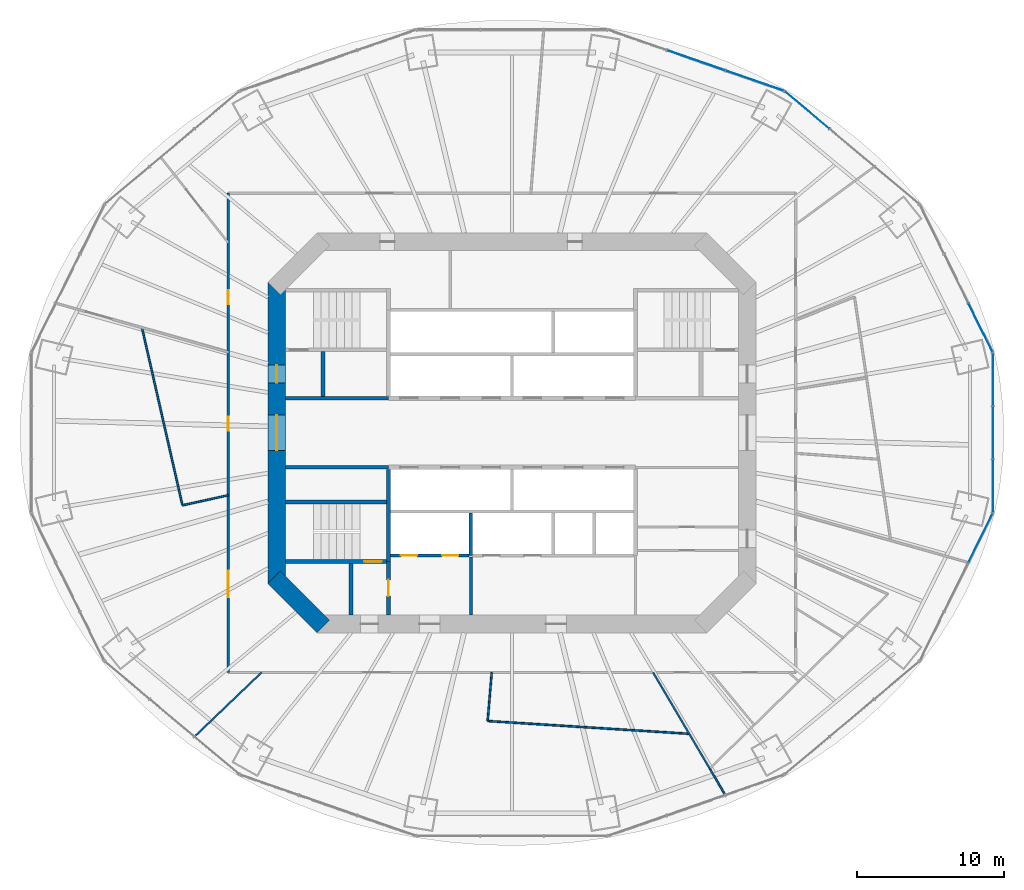
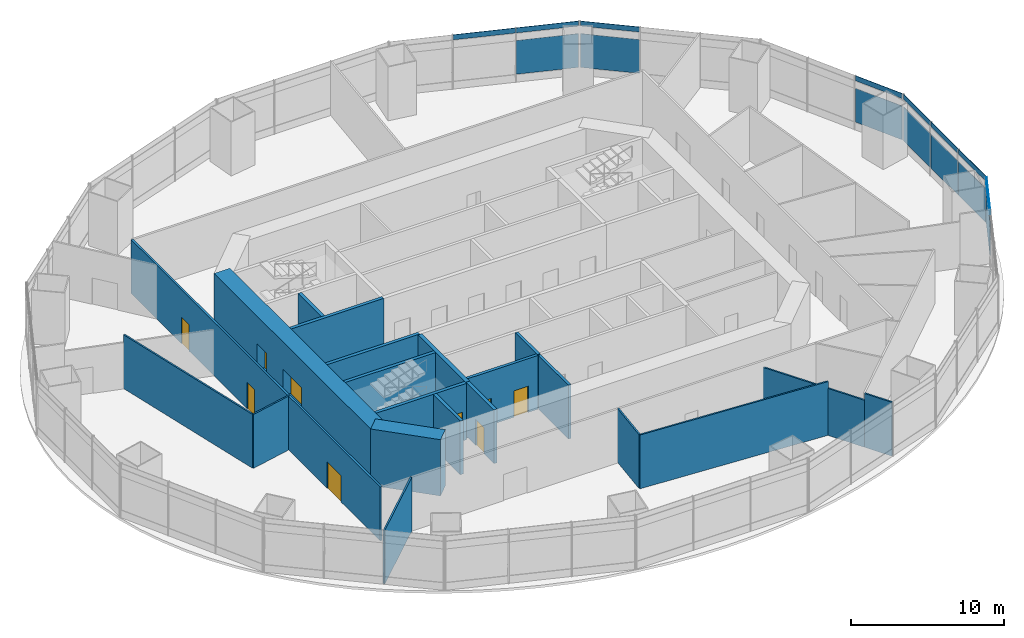
# One storey, part 13 of 17: 21 walls, 15 plates, 9 doors, 9 openings, 10 elements without a shape of their own.
"""IFC4 building model written with IfcOpenShell, lengths in metres."""

from ifc_helpers import new_model, si_unit, direction, frame, frame_2d, origin, origin_2d, place, context, subcontext, project, spatial, rectangle, extrude, material, layer, layer_set, type_object, element, fill, aggregate, save


model = new_model("IFC4")

# Units and contexts
model_context = context("Model", 3, precision=1e-05, world=origin(), true_north=direction((0.0, 1.0)))
body_context = subcontext(model_context, "Body", "Model", "MODEL_VIEW")
ifc_project = project(units=[si_unit("LENGTHUNIT", "METRE"), si_unit("AREAUNIT", "SQUARE_METRE"), si_unit("VOLUMEUNIT", "CUBIC_METRE"), si_unit("PLANEANGLEUNIT", "RADIAN"), si_unit("MASSUNIT", "GRAM", prefix="KILO")], contexts=[model_context])

# Site, building, storey
site_placement = place(None, origin())
site = spatial("IfcSite", under=ifc_project, at=site_placement, CompositionType="ELEMENT")
building_placement = place(site_placement, origin())
building = spatial("IfcBuilding", under=site, at=building_placement, Name="Marenthal Gate Tower", CompositionType="ELEMENT")
storey_placement = place(building_placement, frame((0.0, 0.0, 145.050048828125)))
storey = spatial("IfcBuildingStorey", under=building, at=storey_placement, Name="L31", CompositionType="ELEMENT", Elevation=145.050048828125)

# Curtain wall, plate
ifc_material_1 = material(Name="Aluminium and glass", Category="aluminium")
curtain_wall_type_1 = type_object("IfcCurtainWallType", Name="Curtain wall amenity", PredefinedType="NOTDEFINED", material=ifc_material_1)
curtain_wall_1_placement = place(storey_placement, origin())
curtain_wall_1 = element("IfcCurtainWall", 1, at=curtain_wall_1_placement, inside=storey, type_object=curtain_wall_type_1, Name="Curtain wall L31 bay 1", PredefinedType="NOTDEFINED")
ifc_material_2 = material(Name="Glass, laminated insulating unit", Category="glass")
ifc_layer_1 = layer(ifc_material_2, 0.031982421875)
ifc_layer_set_1 = layer_set([ifc_layer_1], Name="Glass panel 32 amenity")
plate_type_1 = type_object("IfcPlateType", Name="Glass panel 32 amenity", PredefinedType="CURTAIN_PANEL", material=ifc_layer_set_1)
plate_1_placement = place(storey_placement, frame((31.86279296875, 7.151611328125, 0.60009765625), z_axis=(0.0, 0.0, 1.0), x_axis=(-0.442895449987, 0.896573265484, 0.0)))
plate_1 = element("IfcPlate", 2, at=plate_1_placement, type_object=plate_type_1, Name="Glass panel L31 bay 1.1", PredefinedType="CURTAIN_PANEL", context=body_context, shape_type="SweptSolid", body=[
    extrude(rectangle(XDim=3.6669921875, YDim=0.031982421875, at=origin_2d()), origin(), (0.0, 0.0, 1.0), 2.699951171875),
])
aggregate(curtain_wall_1, [plate_1])

curtain_wall_2_placement = place(storey_placement, origin())
curtain_wall_2 = element("IfcCurtainWall", 3, at=curtain_wall_2_placement, inside=storey, type_object=curtain_wall_type_1, Name="Curtain wall L31 bay 2", PredefinedType="NOTDEFINED")
plate_2_placement = place(storey_placement, frame((20.072265625, 21.947021484375, 0.60009765625), z_axis=(0.0, 0.0, 1.0), x_axis=(-0.766276606305, 0.642510826857, 0.0)))
plate_2 = element("IfcPlate", 4, at=plate_2_placement, type_object=plate_type_1, Name="Glass panel L31 bay 2.3", PredefinedType="CURTAIN_PANEL", context=body_context, shape_type="SweptSolid", body=[
    extrude(rectangle(XDim=3.921630859375, YDim=0.031982421875, at=origin_2d()), origin(), (0.0, 0.0, 1.0), 2.699951171875),
])
aggregate(curtain_wall_2, [plate_2])

curtain_wall_3_placement = place(storey_placement, origin())
curtain_wall_3 = element("IfcCurtainWall", 5, at=curtain_wall_3_placement, inside=storey, type_object=curtain_wall_type_1, Name="Curtain wall L31 bay 3", PredefinedType="NOTDEFINED")
plate_3_placement = place(storey_placement, frame((16.501708984375, 23.94775390625, 0.60009765625), z_axis=(0.0, 0.0, 1.0), x_axis=(-0.944646837951, 0.328088938475, 0.0)))
plate_3 = element("IfcPlate", 6, at=plate_3_placement, type_object=plate_type_1, Name="Glass panel L31 bay 3.1", PredefinedType="CURTAIN_PANEL", context=body_context, shape_type="SweptSolid", body=[
    extrude(rectangle(XDim=4.1611328125, YDim=0.031982421875, at=origin_2d()), origin(), (0.0, 0.0, 1.0), 2.699951171875),
])
aggregate(curtain_wall_3, [plate_3])

curtain_wall_4_placement = place(storey_placement, origin())
curtain_wall_4 = element("IfcCurtainWall", 7, at=curtain_wall_4_placement, inside=storey, type_object=curtain_wall_type_1, Name="Curtain wall L31 bay 15", PredefinedType="NOTDEFINED")
plate_4_placement = place(storey_placement, frame((31.86279296875, -7.151611328125, 0.60009765625), z_axis=(0.0, 0.0, 1.0), x_axis=(0.442895449987, 0.896573265484, 0.0)))
plate_4 = element("IfcPlate", 8, at=plate_4_placement, type_object=plate_type_1, Name="Glass panel L31 bay 15.3", PredefinedType="CURTAIN_PANEL", context=body_context, shape_type="SweptSolid", body=[
    extrude(rectangle(XDim=3.6669921875, YDim=0.031982421875, at=origin_2d()), origin(), (0.0, 0.0, 1.0), 2.699951171875),
])
aggregate(curtain_wall_4, [plate_4])

# Curtain wall, plates
curtain_wall_5_placement = place(storey_placement, origin())
curtain_wall_5 = element("IfcCurtainWall", 9, at=curtain_wall_5_placement, inside=storey, type_object=curtain_wall_type_1, Name="Curtain wall L31 bay 16", PredefinedType="NOTDEFINED")
plate_5_placement = place(storey_placement, frame((32.701416015625, -3.615966796875, 0.60009765625), z_axis=(0.0, 0.0, 1.0), x_axis=(0.0, 1.0, 0.0)))
plate_5 = element("IfcPlate", 10, at=plate_5_placement, type_object=plate_type_1, Name="Glass panel L31 bay 16.1", PredefinedType="CURTAIN_PANEL", context=body_context, shape_type="SweptSolid", body=[
    extrude(rectangle(XDim=3.55615234375, YDim=0.031982421875, at=origin_2d()), origin(), (0.0, 0.0, 1.0), 2.699951171875),
])
plate_6_placement = place(storey_placement, frame((32.701416015625, 0.0, 0.60009765625), z_axis=(0.0, 0.0, 1.0), x_axis=(0.0, 1.0, 0.0)))
plate_6 = element("IfcPlate", 11, at=plate_6_placement, type_object=plate_type_1, Name="Glass panel L31 bay 16.2", PredefinedType="CURTAIN_PANEL", context=body_context, shape_type="SweptSolid", body=[
    extrude(rectangle(XDim=3.555908203125, YDim=0.031982421875, at=origin_2d()), origin(), (0.0, 0.0, 1.0), 2.699951171875),
])
plate_7_placement = place(storey_placement, frame((32.701416015625, 3.615966796875, 0.60009765625), z_axis=(0.0, 0.0, 1.0), x_axis=(0.0, 1.0, 0.0)))
plate_7 = element("IfcPlate", 12, at=plate_7_placement, type_object=plate_type_1, Name="Glass panel L31 bay 16.3", PredefinedType="CURTAIN_PANEL", context=body_context, shape_type="SweptSolid", body=[
    extrude(rectangle(XDim=3.55615234375, YDim=0.031982421875, at=origin_2d()), origin(), (0.0, 0.0, 1.0), 2.699951171875),
])
aggregate(curtain_wall_5, [plate_5, plate_6, plate_7])

# Curtain wall, plate
ifc_material_3 = material(Name="Aluminium and glass", Category="aluminium")
curtain_wall_type_2 = type_object("IfcCurtainWallType", Name="Curtain wall crown clad", PredefinedType="NOTDEFINED", material=ifc_material_3)
curtain_wall_6_placement = place(storey_placement, origin())
curtain_wall_6 = element("IfcCurtainWall", 13, at=curtain_wall_6_placement, inside=storey, type_object=curtain_wall_type_2, Name="Curtain wall L31 bay 1 head band", PredefinedType="NOTDEFINED")
ifc_material_4 = material(Name="Terracotta cladding panel", Category="masonry")
ifc_layer_2 = layer(ifc_material_4, 0.031982421875)
ifc_layer_set_2 = layer_set([ifc_layer_2], Name="Terracotta panel 32 crown clad")
plate_type_2 = type_object("IfcPlateType", Name="Terracotta panel 32 crown clad", PredefinedType="CURTAIN_PANEL", material=ifc_layer_set_2)
plate_8_placement = place(storey_placement, frame((31.86279296875, 7.151611328125, 3.89990234375), z_axis=(0.0, 0.0, 1.0), x_axis=(-0.442895449987, 0.896573265484, 0.0)))
plate_8 = element("IfcPlate", 14, at=plate_8_placement, type_object=plate_type_2, Name="Terracotta panel L31 bay 1.1 head band", PredefinedType="CURTAIN_PANEL", context=body_context, shape_type="SweptSolid", body=[
    extrude(rectangle(XDim=3.6669921875, YDim=0.031982421875, at=origin_2d()), origin(), (0.0, 0.0, 1.0), 0.39990234375),
])
aggregate(curtain_wall_6, [plate_8])

curtain_wall_7_placement = place(storey_placement, origin())
curtain_wall_7 = element("IfcCurtainWall", 15, at=curtain_wall_7_placement, inside=storey, type_object=curtain_wall_type_2, Name="Curtain wall L31 bay 2 head band", PredefinedType="NOTDEFINED")
plate_9_placement = place(storey_placement, frame((20.072265625, 21.947021484375, 3.89990234375), z_axis=(0.0, 0.0, 1.0), x_axis=(-0.766276606305, 0.642510826857, 0.0)))
plate_9 = element("IfcPlate", 16, at=plate_9_placement, type_object=plate_type_2, Name="Terracotta panel L31 bay 2.3 head band", PredefinedType="CURTAIN_PANEL", context=body_context, shape_type="SweptSolid", body=[
    extrude(rectangle(XDim=3.921630859375, YDim=0.031982421875, at=origin_2d()), origin(), (0.0, 0.0, 1.0), 0.39990234375),
])
aggregate(curtain_wall_7, [plate_9])

# Curtain wall, plates
curtain_wall_8_placement = place(storey_placement, origin())
curtain_wall_8 = element("IfcCurtainWall", 17, at=curtain_wall_8_placement, inside=storey, type_object=curtain_wall_type_2, Name="Curtain wall L31 bay 3 head band", PredefinedType="NOTDEFINED")
plate_10_placement = place(storey_placement, frame((16.501708984375, 23.94775390625, 3.89990234375), z_axis=(0.0, 0.0, 1.0), x_axis=(-0.944646837951, 0.328088938475, 0.0)))
plate_10 = element("IfcPlate", 18, at=plate_10_placement, type_object=plate_type_2, Name="Terracotta panel L31 bay 3.1 head band", PredefinedType="CURTAIN_PANEL", context=body_context, shape_type="SweptSolid", body=[
    extrude(rectangle(XDim=4.1611328125, YDim=0.031982421875, at=origin_2d()), origin(), (0.0, 0.0, 1.0), 0.39990234375),
])
plate_11_placement = place(storey_placement, frame((12.51416015625, 25.33251953125, 3.89990234375), z_axis=(0.0, 0.0, 1.0), x_axis=(-0.944646837951, 0.328088938475, 0.0)))
plate_11 = element("IfcPlate", 19, at=plate_11_placement, type_object=plate_type_2, Name="Terracotta panel L31 bay 3.2 head band", PredefinedType="CURTAIN_PANEL", context=body_context, shape_type="SweptSolid", body=[
    extrude(rectangle(XDim=4.1611328125, YDim=0.031982421875, at=origin_2d()), origin(), (0.0, 0.0, 1.0), 0.39990234375),
])
aggregate(curtain_wall_8, [plate_10, plate_11])

# Curtain wall, plate
curtain_wall_9_placement = place(storey_placement, origin())
curtain_wall_9 = element("IfcCurtainWall", 20, at=curtain_wall_9_placement, inside=storey, type_object=curtain_wall_type_2, Name="Curtain wall L31 bay 15 head band", PredefinedType="NOTDEFINED")
plate_12_placement = place(storey_placement, frame((31.86279296875, -7.151611328125, 3.89990234375), z_axis=(0.0, 0.0, 1.0), x_axis=(0.442895449987, 0.896573265484, 0.0)))
plate_12 = element("IfcPlate", 21, at=plate_12_placement, type_object=plate_type_2, Name="Terracotta panel L31 bay 15.3 head band", PredefinedType="CURTAIN_PANEL", context=body_context, shape_type="SweptSolid", body=[
    extrude(rectangle(XDim=3.6669921875, YDim=0.031982421875, at=origin_2d()), origin(), (0.0, 0.0, 1.0), 0.39990234375),
])
aggregate(curtain_wall_9, [plate_12])

# Curtain wall, plates
curtain_wall_10_placement = place(storey_placement, origin())
curtain_wall_10 = element("IfcCurtainWall", 22, at=curtain_wall_10_placement, inside=storey, type_object=curtain_wall_type_2, Name="Curtain wall L31 bay 16 head band", PredefinedType="NOTDEFINED")
plate_13_placement = place(storey_placement, frame((32.701416015625, -3.615966796875, 3.89990234375), z_axis=(0.0, 0.0, 1.0), x_axis=(0.0, 1.0, 0.0)))
plate_13 = element("IfcPlate", 23, at=plate_13_placement, type_object=plate_type_2, Name="Terracotta panel L31 bay 16.1 head band", PredefinedType="CURTAIN_PANEL", context=body_context, shape_type="SweptSolid", body=[
    extrude(rectangle(XDim=3.55615234375, YDim=0.031982421875, at=origin_2d()), origin(), (0.0, 0.0, 1.0), 0.39990234375),
])
plate_14_placement = place(storey_placement, frame((32.701416015625, 0.0, 3.89990234375), z_axis=(0.0, 0.0, 1.0), x_axis=(0.0, 1.0, 0.0)))
plate_14 = element("IfcPlate", 24, at=plate_14_placement, type_object=plate_type_2, Name="Terracotta panel L31 bay 16.2 head band", PredefinedType="CURTAIN_PANEL", context=body_context, shape_type="SweptSolid", body=[
    extrude(rectangle(XDim=3.555908203125, YDim=0.031982421875, at=origin_2d()), origin(), (0.0, 0.0, 1.0), 0.39990234375),
])
plate_15_placement = place(storey_placement, frame((32.701416015625, 3.615966796875, 3.89990234375), z_axis=(0.0, 0.0, 1.0), x_axis=(0.0, 1.0, 0.0)))
plate_15 = element("IfcPlate", 25, at=plate_15_placement, type_object=plate_type_2, Name="Terracotta panel L31 bay 16.3 head band", PredefinedType="CURTAIN_PANEL", context=body_context, shape_type="SweptSolid", body=[
    extrude(rectangle(XDim=3.55615234375, YDim=0.031982421875, at=origin_2d()), origin(), (0.0, 0.0, 1.0), 0.39990234375),
])
aggregate(curtain_wall_10, [plate_13, plate_14, plate_15])

# Wall, openings, doors
ifc_material_5 = material(Name="Concrete 60 MPa", Category="concrete")
ifc_layer_3 = layer(ifc_material_5, 1.199951171875)
ifc_layer_set_3 = layer_set([ifc_layer_3], Name="Core shear wall 1200")
wall_type_1 = type_object("IfcWallType", Name="Core shear wall 1200", PredefinedType="SHEAR", material=ifc_layer_set_3)
wall_1_placement = place(storey_placement, frame((-16.0, 10.24853515625, -0.199951171875), z_axis=(0.0, 0.0, 1.0), x_axis=(0.0, -1.0, 0.0)))
wall_1 = element("IfcWall", 26, at=wall_1_placement, inside=storey, type_object=wall_type_1, Name="Core wall 06", PredefinedType="SHEAR", context=body_context, shape_type="SweptSolid", body=[
    extrude(rectangle(XDim=20.4970703125, YDim=1.199951171875, at=frame_2d((10.24853515625, 0.0))), origin(), (0.0, 0.0, 1.0), 4.5),
])
opening_1_placement = place(wall_1_placement, frame((9.048583984375, 0.0, 0.199951171875)))
opening_1 = element("IfcOpeningElement", 27, at=opening_1_placement, cuts=wall_1, Name="Opening D003.01", PredefinedType="OPENING", context=body_context, shape_type="SweptSolid", body=[
    extrude(rectangle(XDim=2.39990234375, YDim=2.10009765625, at=frame_2d((1.199951171875, 1.050048828125))), frame((0.0, 0.60986328125, 0.0), z_axis=(0.0, -1.0, 0.0), x_axis=(1.0, 0.0, 0.0)), (0.0, 0.0, 1.0), 1.219970703125),
])
opening_2_placement = place(wall_1_placement, frame((5.6484375, 0.0, 0.199951171875)))
opening_2 = element("IfcOpeningElement", 28, at=opening_2_placement, cuts=wall_1, Name="Opening D001.04", PredefinedType="OPENING", context=body_context, shape_type="SweptSolid", body=[
    extrude(rectangle(XDim=1.199951171875, YDim=2.10009765625, at=frame_2d((0.60009765625, 1.050048828125))), frame((0.0, 0.60986328125, 0.0), z_axis=(0.0, -1.0, 0.0), x_axis=(1.0, 0.0, 0.0)), (0.0, 0.0, 1.0), 1.219970703125),
])
ifc_material_6 = material(Name="Steel fire door", Category="steel")
door_type_1 = type_object("IfcDoorType", Name="Double fire door FD 45 2400 x 2100", OperationType="DOUBLE_DOOR_SINGLE_SWING", PredefinedType="DOOR", material=ifc_material_6)
door_1_placement = place(opening_1_placement, origin())
door_1 = element("IfcDoor", 29, at=door_1_placement, inside=storey, type_object=door_type_1, Name="Door D003.01", OperationType="DOUBLE_DOOR_SINGLE_SWING", OverallHeight=2.10009765625, OverallWidth=2.39990234375, PredefinedType="DOOR", context=body_context, shape_type="SweptSolid", body=[
    extrude(rectangle(XDim=2.39990234375, YDim=2.10009765625, at=frame_2d((1.199951171875, 1.050048828125))), frame((0.0, 0.02490234375, 0.0), z_axis=(0.0, -1.0, 0.0), x_axis=(1.0, 0.0, 0.0)), (0.0, 0.0, 1.0), 0.050048828125),
])
fill(opening_1, door_1)
ifc_material_7 = material(Name="Steel fire door", Category="steel")
door_type_2 = type_object("IfcDoorType", Name="Fire door FD 90 1200 x 2100", OperationType="NOTDEFINED", PredefinedType="DOOR", material=ifc_material_7)
door_2_placement = place(opening_2_placement, origin())
door_2 = element("IfcDoor", 30, at=door_2_placement, inside=storey, type_object=door_type_2, Name="Door D001.04", OperationType="SINGLE_SWING_RIGHT", OverallHeight=2.10009765625, OverallWidth=1.199951171875, PredefinedType="DOOR", context=body_context, shape_type="SweptSolid", body=[
    extrude(rectangle(XDim=1.199951171875, YDim=2.10009765625, at=frame_2d((0.60009765625, 1.050048828125))), frame((0.0, 0.02490234375, 0.0), z_axis=(0.0, -1.0, 0.0), x_axis=(1.0, 0.0, 0.0)), (0.0, 0.0, 1.0), 0.050048828125),
])
fill(opening_2, door_2)

# Walls
wall_2_placement = place(storey_placement, frame((-16.17578125, -9.82421875, -0.199951171875), z_axis=(0.0, 0.0, 1.0), x_axis=(0.707106781187, -0.707106781187, 0.0)))
element("IfcWall", 31, at=wall_2_placement, inside=storey, type_object=wall_type_1, Name="Core wall 07", PredefinedType="SHEAR", context=body_context, shape_type="SweptSolid", body=[
    extrude(rectangle(XDim=4.73974609375, YDim=1.199951171875, at=frame_2d((2.369873046875, 0.0))), origin(), (0.0, 0.0, 1.0), 4.5),
])
ifc_material_8 = material(Name="Gypsum board on steel studs", Category="steel")
ifc_layer_4 = layer(ifc_material_8, 0.199951171875)
ifc_layer_set_4 = layer_set([ifc_layer_4], Name="Fire lobby wall 200")
wall_type_2 = type_object("IfcWallType", Name="Fire lobby wall 200", PredefinedType="PARTITIONING", material=ifc_layer_set_4)
wall_3_placement = place(storey_placement, frame((-2.800048828125, -12.39990234375, 0.0), z_axis=(0.0, 0.0, 1.0), x_axis=(0.0, 1.0, 0.0)))
element("IfcWall", 32, at=wall_3_placement, inside=storey, type_object=wall_type_2, Name="Fire wall 35", PredefinedType="PARTITIONING", context=body_context, shape_type="SweptSolid", body=[
    extrude(rectangle(XDim=3.93994140625, YDim=0.199951171875, at=frame_2d((1.969970703125, 0.0))), origin(), (0.0, 0.0, 1.0), 4.300048828125),
])
ifc_material_9 = material(Name="Concrete 50 MPa", Category="concrete")
ifc_layer_5 = layer(ifc_material_9, 0.300048828125)
ifc_layer_set_5 = layer_set([ifc_layer_5], Name="Hoistway shear wall 300")
wall_type_3 = type_object("IfcWallType", Name="Hoistway shear wall 300", PredefinedType="SHEAR", material=ifc_layer_set_5)
wall_4_placement = place(storey_placement, frame((-8.39990234375, -8.75, -0.199951171875), z_axis=(0.0, 0.0, 1.0), x_axis=(0.0, 1.0, 0.0)))
element("IfcWall", 33, at=wall_4_placement, inside=storey, type_object=wall_type_3, Name="Hoistway wall 31", PredefinedType="SHEAR", context=body_context, shape_type="SweptSolid", body=[
    extrude(rectangle(XDim=6.25, YDim=0.300048828125, at=frame_2d((3.125, 0.0))), origin(), (0.0, 0.0, 1.0), 4.5),
])

# Wall, openings, doors
ifc_material_10 = material(Name="Concrete 40 MPa", Category="concrete")
ifc_layer_6 = layer(ifc_material_10, 0.219970703125)
ifc_layer_set_6 = layer_set([ifc_layer_6], Name="Hoistway wall 220")
wall_type_4 = type_object("IfcWallType", Name="Hoistway wall 220", PredefinedType="STANDARD", material=ifc_layer_set_6)
wall_5_placement = place(storey_placement, frame((-8.25, -8.35009765625, 0.0), z_axis=(0.0, 0.0, 1.0), x_axis=(1.0, 0.0, 0.0)))
wall_5 = element("IfcWall", 34, at=wall_5_placement, inside=storey, type_object=wall_type_4, Name="Hoistway wall 10", PredefinedType="STANDARD", context=body_context, shape_type="SweptSolid", body=[
    extrude(rectangle(XDim=5.340087890625, YDim=0.219970703125, at=frame_2d((2.669921875, 0.0))), origin(), (0.0, 0.0, 1.0), 4.300048828125),
])
opening_3_placement = place(wall_5_placement, frame((0.699951171875, 0.0, 0.0)))
opening_3 = element("IfcOpeningElement", 35, at=opening_3_placement, cuts=wall_5, Name="Opening LD-LF1", PredefinedType="OPENING", context=body_context, shape_type="SweptSolid", body=[
    extrude(rectangle(XDim=1.10009765625, YDim=2.10009765625, at=frame_2d((0.550048828125, 1.050048828125))), frame((0.0, 0.1201171875, 0.0), z_axis=(0.0, -1.0, 0.0), x_axis=(1.0, 0.0, 0.0)), (0.0, 0.0, 1.0), 0.239990234375),
])
opening_4_placement = place(wall_5_placement, frame((3.5, 0.0, 0.0)))
opening_4 = element("IfcOpeningElement", 36, at=opening_4_placement, cuts=wall_5, Name="Opening LD-LF2", PredefinedType="OPENING", context=body_context, shape_type="SweptSolid", body=[
    extrude(rectangle(XDim=1.10009765625, YDim=2.10009765625, at=frame_2d((0.550048828125, 1.050048828125))), frame((0.0, 0.1201171875, 0.0), z_axis=(0.0, -1.0, 0.0), x_axis=(1.0, 0.0, 0.0)), (0.0, 0.0, 1.0), 0.239990234375),
])
ifc_material_11 = material(Name="Stainless steel sliding door", Category="steel")
door_type_3 = type_object("IfcDoorType", Name="Lift landing door FD 90 1100 x 2100", OperationType="DOUBLE_DOOR_SLIDING", PredefinedType="DOOR", material=ifc_material_11)
door_3_placement = place(opening_3_placement, origin())
door_3 = element("IfcDoor", 37, at=door_3_placement, inside=storey, type_object=door_type_3, Name="Lift landing door LF1", OperationType="DOUBLE_DOOR_SLIDING", OverallHeight=2.10009765625, OverallWidth=1.10009765625, PredefinedType="DOOR", context=body_context, shape_type="SweptSolid", body=[
    extrude(rectangle(XDim=1.10009765625, YDim=2.10009765625, at=frame_2d((0.550048828125, 1.050048828125))), frame((0.0, 0.02490234375, 0.0), z_axis=(0.0, -1.0, 0.0), x_axis=(1.0, 0.0, 0.0)), (0.0, 0.0, 1.0), 0.050048828125),
])
fill(opening_3, door_3)
door_4_placement = place(opening_4_placement, origin())
door_4 = element("IfcDoor", 38, at=door_4_placement, inside=storey, type_object=door_type_3, Name="Lift landing door LF2", OperationType="DOUBLE_DOOR_SLIDING", OverallHeight=2.10009765625, OverallWidth=1.10009765625, PredefinedType="DOOR", context=body_context, shape_type="SweptSolid", body=[
    extrude(rectangle(XDim=1.10009765625, YDim=2.10009765625, at=frame_2d((0.550048828125, 1.050048828125))), frame((0.0, 0.02490234375, 0.0), z_axis=(0.0, -1.0, 0.0), x_axis=(1.0, 0.0, 0.0)), (0.0, 0.0, 1.0), 0.050048828125),
])
fill(opening_4, door_4)

# Walls
wall_6_placement = place(storey_placement, frame((-2.800048828125, -8.35009765625, 0.0), z_axis=(0.0, 0.0, 1.0), x_axis=(0.0, 1.0, 0.0)))
element("IfcWall", 39, at=wall_6_placement, inside=storey, type_object=wall_type_4, Name="Hoistway wall 36", PredefinedType="STANDARD", context=body_context, shape_type="SweptSolid", body=[
    extrude(rectangle(XDim=2.89013671875, YDim=0.219970703125, at=frame_2d((1.445068359375, 0.0))), origin(), (0.0, 0.0, 1.0), 4.300048828125),
])
ifc_material_12 = material(Name="Gypsum board on steel studs", Category="steel")
ifc_layer_7 = layer(ifc_material_12, 0.1201171875)
ifc_layer_set_7 = layer_set([ifc_layer_7], Name="Partition 120")
wall_type_5 = type_object("IfcWallType", Name="Partition 120", PredefinedType="PARTITIONING", material=ifc_layer_set_7)
wall_7_placement = place(storey_placement, frame((-25.168701171875, 7.154296875, 0.0), z_axis=(0.0, 0.0, 1.0), x_axis=(0.222564322399, -0.974918008037, 0.0)))
element("IfcWall", 40, at=wall_7_placement, inside=storey, type_object=wall_type_5, Name="Partition wall 47", PredefinedType="PARTITIONING", context=body_context, shape_type="SweptSolid", body=[
    extrude(rectangle(XDim=12.394287109375, YDim=0.1201171875, at=frame_2d((6.197265625, 0.0))), origin(), (0.0, 0.0, 1.0), 4.300048828125),
])
wall_8_placement = place(storey_placement, frame((-22.41015625, -4.92919921875, 0.0), z_axis=(0.0, 0.0, 1.0), x_axis=(0.976653796801, 0.21481936876, 0.0)))
element("IfcWall", 41, at=wall_8_placement, inside=storey, type_object=wall_type_5, Name="Partition wall 48", PredefinedType="PARTITIONING", context=body_context, shape_type="SweptSolid", body=[
    extrude(rectangle(XDim=3.1845703125, YDim=0.1201171875, at=frame_2d((1.59228515625, 0.0))), origin(), (0.0, 0.0, 1.0), 4.300048828125),
])
wall_9_placement = place(storey_placement, frame((-17.033447265625, -16.300048828125, 0.0), z_axis=(0.0, 0.0, 1.0), x_axis=(-0.722489933703, -0.691381440088, 0.0)))
element("IfcWall", 42, at=wall_9_placement, inside=storey, type_object=wall_type_5, Name="Partition wall 52", PredefinedType="PARTITIONING", context=body_context, shape_type="SweptSolid", body=[
    extrude(rectangle(XDim=6.317626953125, YDim=0.1201171875, at=frame_2d((3.15869140625, 0.0))), origin(), (0.0, 0.0, 1.0), 4.300048828125),
])
wall_10_placement = place(storey_placement, frame((-1.6572265625, -19.60205078125, 0.0), z_axis=(0.0, 0.0, 1.0), x_axis=(0.998001070526, -0.063197019139, 0.0)))
element("IfcWall", 43, at=wall_10_placement, inside=storey, type_object=wall_type_5, Name="Partition wall 53", PredefinedType="PARTITIONING", context=body_context, shape_type="SweptSolid", body=[
    extrude(rectangle(XDim=13.7373046875, YDim=0.1201171875, at=frame_2d((6.86865234375, 0.0))), origin(), (0.0, 0.0, 1.0), 4.300048828125),
])
wall_11_placement = place(storey_placement, frame((-1.6572265625, -19.60205078125, 0.0), z_axis=(0.0, 0.0, 1.0), x_axis=(0.084283140238, 0.996441845906, 0.0)))
element("IfcWall", 44, at=wall_11_placement, inside=storey, type_object=wall_type_5, Name="Partition wall 54", PredefinedType="PARTITIONING", context=body_context, shape_type="SweptSolid", body=[
    extrude(rectangle(XDim=3.313720703125, YDim=0.1201171875, at=frame_2d((1.65673828125, 0.0))), origin(), (0.0, 0.0, 1.0), 4.300048828125),
])
wall_12_placement = place(storey_placement, frame((9.597412109375, -16.300048828125, 0.0), z_axis=(0.0, 0.0, 1.0), x_axis=(0.507388266695, -0.861717556291, 0.0)))
element("IfcWall", 45, at=wall_12_placement, inside=storey, type_object=wall_type_5, Name="Partition wall 56", PredefinedType="PARTITIONING", context=body_context, shape_type="SweptSolid", body=[
    extrude(rectangle(XDim=7.621337890625, YDim=0.1201171875, at=frame_2d((3.810546875, 0.0))), origin(), (0.0, 0.0, 1.0), 3.755859375),
])
wall_13_placement = place(storey_placement, frame((13.46435546875, -22.867431640625, 0.0), z_axis=(0.0, 0.0, 1.0), x_axis=(0.507357212344, -0.861735840662, 0.0)))
element("IfcWall", 46, at=wall_13_placement, inside=storey, type_object=wall_type_5, Name="Partition wall 72", PredefinedType="PARTITIONING", context=body_context, shape_type="SweptSolid", body=[
    extrude(rectangle(XDim=2.05712890625, YDim=0.1201171875, at=frame_2d((1.028564453125, 0.0))), origin(), (0.0, 0.0, 1.0), 4.300048828125),
])

# Wall, openings, doors
ifc_material_13 = material(Name="Gypsum board on steel studs", Category="steel")
ifc_layer_8 = layer(ifc_material_13, 0.14990234375)
ifc_layer_set_8 = layer_set([ifc_layer_8], Name="Partition 150")
wall_type_6 = type_object("IfcWallType", Name="Partition 150", PredefinedType="PARTITIONING", material=ifc_layer_set_8)
wall_14_placement = place(storey_placement, frame((-19.300048828125, -16.300048828125, 0.0), z_axis=(0.0, 0.0, 1.0), x_axis=(0.0, 1.0, 0.0)))
wall_14 = element("IfcWall", 47, at=wall_14_placement, inside=storey, type_object=wall_type_6, Name="Partition wall 49", PredefinedType="PARTITIONING", context=body_context, shape_type="SweptSolid", body=[
    extrude(rectangle(XDim=32.60009765625, YDim=0.14990234375, at=frame_2d((16.300048828125, 0.0))), origin(), (0.0, 0.0, 1.0), 4.300048828125),
])
opening_5_placement = place(wall_14_placement, frame((16.446044921875, 0.0, 0.0)))
opening_5 = element("IfcOpeningElement", 48, at=opening_5_placement, cuts=wall_14, Name="Opening D016.01", PredefinedType="OPENING", context=body_context, shape_type="SweptSolid", body=[
    extrude(rectangle(XDim=0.949951171875, YDim=2.10009765625, at=frame_2d((0.47509765625, 1.050048828125))), frame((0.0, 0.0849609375, 0.0), z_axis=(0.0, -1.0, 0.0), x_axis=(1.0, 0.0, 0.0)), (0.0, 0.0, 1.0), 0.169921875),
])
opening_6_placement = place(wall_14_placement, frame((5.126953125, 0.0, 0.0)))
opening_6 = element("IfcOpeningElement", 49, at=opening_6_placement, cuts=wall_14, Name="Opening D014.03", PredefinedType="OPENING", context=body_context, shape_type="SweptSolid", body=[
    extrude(rectangle(XDim=1.800048828125, YDim=2.10009765625, at=frame_2d((0.89990234375, 1.050048828125))), frame((0.0, 0.0849609375, 0.0), z_axis=(0.0, -1.0, 0.0), x_axis=(1.0, 0.0, 0.0)), (0.0, 0.0, 1.0), 0.169921875),
])
opening_7_placement = place(wall_14_placement, frame((25.047119140625, 0.0, 0.0)))
opening_7 = element("IfcOpeningElement", 50, at=opening_7_placement, cuts=wall_14, Name="Opening D017.01", PredefinedType="OPENING", context=body_context, shape_type="SweptSolid", body=[
    extrude(rectangle(XDim=0.949951171875, YDim=2.10009765625, at=frame_2d((0.47509765625, 1.050048828125))), frame((0.0, 0.0849609375, 0.0), z_axis=(0.0, -1.0, 0.0), x_axis=(1.0, 0.0, 0.0)), (0.0, 0.0, 1.0), 0.169921875),
])
ifc_material_14 = material(Name="Timber door", Category="wood")
door_type_4 = type_object("IfcDoorType", Name="Door 950 x 2100", OperationType="NOTDEFINED", PredefinedType="DOOR", material=ifc_material_14)
door_5_placement = place(opening_5_placement, origin())
door_5 = element("IfcDoor", 51, at=door_5_placement, inside=storey, type_object=door_type_4, Name="Door D016.01", OperationType="SINGLE_SWING_RIGHT", OverallHeight=2.10009765625, OverallWidth=0.949951171875, PredefinedType="DOOR", context=body_context, shape_type="SweptSolid", body=[
    extrude(rectangle(XDim=0.949951171875, YDim=2.10009765625, at=frame_2d((0.47509765625, 1.050048828125))), frame((0.0, 0.02490234375, 0.0), z_axis=(0.0, -1.0, 0.0), x_axis=(1.0, 0.0, 0.0)), (0.0, 0.0, 1.0), 0.050048828125),
])
fill(opening_5, door_5)
ifc_material_15 = material(Name="Timber door", Category="wood")
door_type_5 = type_object("IfcDoorType", Name="Double door 1800 x 2100", OperationType="DOUBLE_DOOR_SINGLE_SWING", PredefinedType="DOOR", material=ifc_material_15)
door_6_placement = place(opening_6_placement, origin())
door_6 = element("IfcDoor", 52, at=door_6_placement, inside=storey, type_object=door_type_5, Name="Door D014.03", OperationType="DOUBLE_DOOR_SINGLE_SWING", OverallHeight=2.10009765625, OverallWidth=1.800048828125, PredefinedType="DOOR", context=body_context, shape_type="SweptSolid", body=[
    extrude(rectangle(XDim=1.800048828125, YDim=2.10009765625, at=frame_2d((0.89990234375, 1.050048828125))), frame((0.0, 0.02490234375, 0.0), z_axis=(0.0, -1.0, 0.0), x_axis=(1.0, 0.0, 0.0)), (0.0, 0.0, 1.0), 0.050048828125),
])
fill(opening_6, door_6)
ifc_material_16 = material(Name="Timber door", Category="wood")
door_type_6 = type_object("IfcDoorType", Name="Double door 950 x 2100", OperationType="DOUBLE_DOOR_SINGLE_SWING", PredefinedType="DOOR", material=ifc_material_16)
door_7_placement = place(opening_7_placement, origin())
door_7 = element("IfcDoor", 53, at=door_7_placement, inside=storey, type_object=door_type_6, Name="Door D017.01", OperationType="DOUBLE_DOOR_SINGLE_SWING", OverallHeight=2.10009765625, OverallWidth=0.949951171875, PredefinedType="DOOR", context=body_context, shape_type="SweptSolid", body=[
    extrude(rectangle(XDim=0.949951171875, YDim=2.10009765625, at=frame_2d((0.47509765625, 1.050048828125))), frame((0.0, 0.02490234375, 0.0), z_axis=(0.0, -1.0, 0.0), x_axis=(1.0, 0.0, 0.0)), (0.0, 0.0, 1.0), 0.050048828125),
])
fill(opening_7, door_7)

# Walls
ifc_material_17 = material(Name="Concrete 40 MPa", Category="concrete")
ifc_layer_9 = layer(ifc_material_17, 0.25)
ifc_layer_set_9 = layer_set([ifc_layer_9], Name="Stair enclosure wall 250")
wall_type_7 = type_object("IfcWallType", Name="Stair enclosure wall 250", PredefinedType="STANDARD", material=ifc_layer_set_9)
for number, where, z_axis, x_axis, name in (
    (54, (-15.39990234375, -2.35009765625, 0.0), (0.0, 0.0, 1.0), (1.0, 0.0, 0.0), "Stair wall 16"),
    (55, (-15.39990234375, 2.35009765625, 0.0), (0.0, 0.0, 1.0), (1.0, 0.0, 0.0), "Stair wall 19"),
):
    element("IfcWall", number, at=place(storey_placement, frame(where, z_axis=z_axis, x_axis=x_axis)), inside=storey, type_object=wall_type_7, Name=name, PredefinedType="STANDARD", context=body_context, shape_type="SweptSolid", body=[
        extrude(rectangle(XDim=7.0, YDim=0.25, at=frame_2d((3.5, 0.0))), origin(), (0.0, 0.0, 1.0), 4.300048828125),
    ])
wall_15_placement = place(storey_placement, frame((-12.85009765625, 2.47509765625, 0.0), z_axis=(0.0, 0.0, 1.0), x_axis=(0.0, 1.0, 0.0)))
element("IfcWall", 56, at=wall_15_placement, inside=storey, type_object=wall_type_7, Name="Stair wall 28", PredefinedType="STANDARD", context=body_context, shape_type="SweptSolid", body=[
    extrude(rectangle(XDim=3.0498046875, YDim=0.25, at=frame_2d((1.52490234375, 0.0))), origin(), (0.0, 0.0, 1.0), 4.300048828125),
])
wall_16_placement = place(storey_placement, frame((-10.949951171875, -12.39990234375, 0.0), z_axis=(0.0, 0.0, 1.0), x_axis=(0.0, 1.0, 0.0)))
element("IfcWall", 57, at=wall_16_placement, inside=storey, type_object=wall_type_7, Name="Stair wall 29", PredefinedType="STANDARD", context=body_context, shape_type="SweptSolid", body=[
    extrude(rectangle(XDim=3.52490234375, YDim=0.25, at=frame_2d((1.762451171875, 0.0))), origin(), (0.0, 0.0, 1.0), 4.300048828125),
])

# Wall, opening, door
wall_17_placement = place(storey_placement, frame((-8.39990234375, -12.39990234375, 0.0), z_axis=(0.0, 0.0, 1.0), x_axis=(0.0, 1.0, 0.0)))
wall_17 = element("IfcWall", 58, at=wall_17_placement, inside=storey, type_object=wall_type_7, Name="Stair wall 30", PredefinedType="STANDARD", context=body_context, shape_type="SweptSolid", body=[
    extrude(rectangle(XDim=3.64990234375, YDim=0.25, at=frame_2d((1.824951171875, 0.0))), origin(), (0.0, 0.0, 1.0), 4.300048828125),
])
opening_8_placement = place(wall_17_placement, frame((1.300048828125, 0.0, 0.0)))
opening_8 = element("IfcOpeningElement", 59, at=opening_8_placement, cuts=wall_17, Name="Opening D002.01", PredefinedType="OPENING", context=body_context, shape_type="SweptSolid", body=[
    extrude(rectangle(XDim=1.10009765625, YDim=2.10009765625, at=frame_2d((0.550048828125, 1.050048828125))), frame((0.0, 0.135009765625, 0.0), z_axis=(0.0, -1.0, 0.0), x_axis=(1.0, 0.0, 0.0)), (0.0, 0.0, 1.0), 0.27001953125),
])
ifc_material_18 = material(Name="Steel fire door", Category="steel")
door_type_7 = type_object("IfcDoorType", Name="Fire door FD 90 1100 x 2100", OperationType="NOTDEFINED", PredefinedType="DOOR", material=ifc_material_18)
door_8_placement = place(opening_8_placement, origin())
door_8 = element("IfcDoor", 60, at=door_8_placement, inside=storey, type_object=door_type_7, Name="Door D002.01", OperationType="SINGLE_SWING_RIGHT", OverallHeight=2.10009765625, OverallWidth=1.10009765625, PredefinedType="DOOR", context=body_context, shape_type="SweptSolid", body=[
    extrude(rectangle(XDim=1.10009765625, YDim=2.10009765625, at=frame_2d((0.550048828125, 1.050048828125))), frame((0.0, 0.02490234375, 0.0), z_axis=(0.0, -1.0, 0.0), x_axis=(1.0, 0.0, 0.0)), (0.0, 0.0, 1.0), 0.050048828125),
])
fill(opening_8, door_8)

ifc_material_19 = material(Name="Concrete 50 MPa", Category="concrete")
ifc_layer_10 = layer(ifc_material_19, 0.25)
ifc_layer_set_10 = layer_set([ifc_layer_10], Name="Stair shear wall 250")
wall_type_8 = type_object("IfcWallType", Name="Stair shear wall 250", PredefinedType="SHEAR", material=ifc_layer_set_10)
wall_18_placement = place(storey_placement, frame((-15.39990234375, -8.75, -0.199951171875), z_axis=(0.0, 0.0, 1.0), x_axis=(1.0, 0.0, 0.0)))
wall_18 = element("IfcWall", 61, at=wall_18_placement, inside=storey, type_object=wall_type_8, Name="Stair wall 09", PredefinedType="SHEAR", context=body_context, shape_type="SweptSolid", body=[
    extrude(rectangle(XDim=6.849853515625, YDim=0.25, at=frame_2d((3.4248046875, 0.0))), origin(), (0.0, 0.0, 1.0), 4.5),
])
opening_9_placement = place(wall_18_placement, frame((5.35009765625, 0.0, 0.199951171875)))
opening_9 = element("IfcOpeningElement", 62, at=opening_9_placement, cuts=wall_18, Name="Opening D001.03", PredefinedType="OPENING", context=body_context, shape_type="SweptSolid", body=[
    extrude(rectangle(XDim=1.199951171875, YDim=2.10009765625, at=frame_2d((0.60009765625, 1.050048828125))), frame((0.0, 0.135009765625, 0.0), z_axis=(0.0, -1.0, 0.0), x_axis=(1.0, 0.0, 0.0)), (0.0, 0.0, 1.0), 0.27001953125),
])
door_9_placement = place(opening_9_placement, origin())
door_9 = element("IfcDoor", 63, at=door_9_placement, inside=storey, type_object=door_type_2, Name="Door D001.03", OperationType="SINGLE_SWING_RIGHT", OverallHeight=2.10009765625, OverallWidth=1.199951171875, PredefinedType="DOOR", context=body_context, shape_type="SweptSolid", body=[
    extrude(rectangle(XDim=1.199951171875, YDim=2.10009765625, at=frame_2d((0.60009765625, 1.050048828125))), frame((0.0, 0.02490234375, 0.0), z_axis=(0.0, -1.0, 0.0), x_axis=(1.0, 0.0, 0.0)), (0.0, 0.0, 1.0), 0.050048828125),
])
fill(opening_9, door_9)

# Wall
wall_19_placement = place(storey_placement, frame((-15.39990234375, -4.699951171875, -0.199951171875), z_axis=(0.0, 0.0, 1.0), x_axis=(1.0, 0.0, 0.0)))
element("IfcWall", 64, at=wall_19_placement, inside=storey, type_object=wall_type_8, Name="Stair wall 15", PredefinedType="SHEAR", context=body_context, shape_type="SweptSolid", body=[
    extrude(rectangle(XDim=6.849853515625, YDim=0.25, at=frame_2d((3.4248046875, 0.0))), origin(), (0.0, 0.0, 1.0), 4.5),
])

save(model, "model.ifc")
